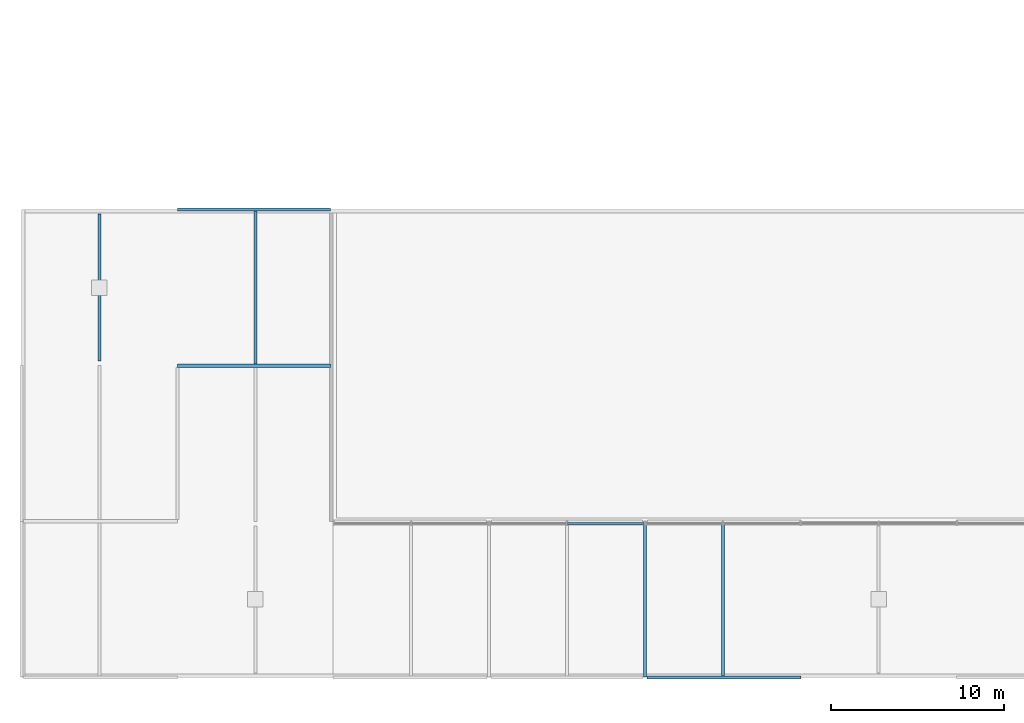
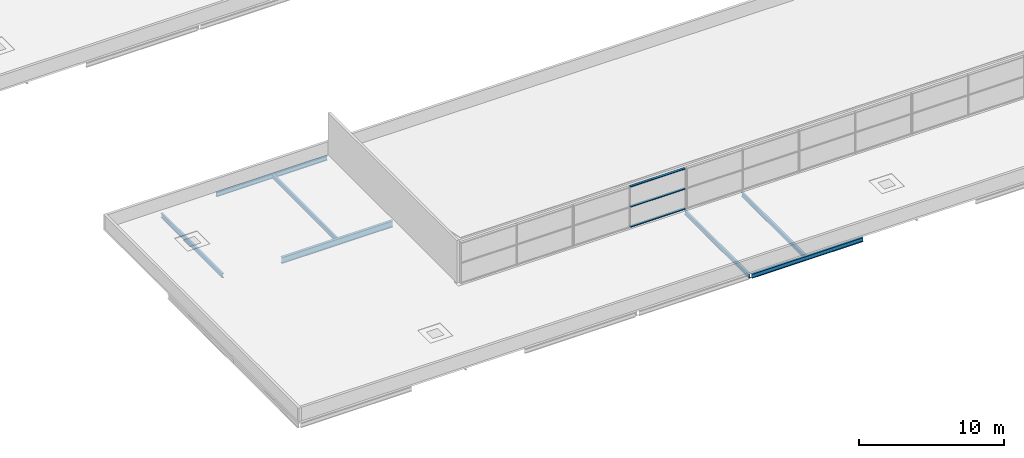
# One storey, part 6 of 50: 7 beams, 3 members, 1 element without a shape of its own.
"""IFC4 building model written with IfcOpenShell, lengths in metres."""

from ifc_helpers import new_model, si_unit, direction, frame, origin, origin_2d, place, context, subcontext, project, spatial, rectangle, i_section, extrude, material, layer, layer_set, material_profile, profile_set, type_object, element, aggregate, save


model = new_model("IFC4")

# Units and contexts
model_context = context("Model", 3, precision=1e-05, world=origin(), true_north=direction((0.0, 1.0)))
body_context = subcontext(model_context, "Body", "Model", "MODEL_VIEW")
ifc_project = project(units=[si_unit("LENGTHUNIT", "METRE"), si_unit("AREAUNIT", "SQUARE_METRE"), si_unit("VOLUMEUNIT", "CUBIC_METRE"), si_unit("PLANEANGLEUNIT", "RADIAN"), si_unit("MASSUNIT", "GRAM", prefix="KILO")], contexts=[model_context])

# Site, building, storey
site_placement = place(None, origin())
site = spatial("IfcSite", under=ifc_project, at=site_placement, CompositionType="ELEMENT")
building_placement = place(site_placement, origin())
building = spatial("IfcBuilding", under=site, at=building_placement, Name="Corbel Yard City Hall", CompositionType="ELEMENT")
storey_placement = place(building_placement, frame((0.0, 0.0, 15.0)))
storey = spatial("IfcBuildingStorey", under=building, at=storey_placement, Name="L03", CompositionType="ELEMENT", Elevation=15.0)

# Beams
ifc_material_1 = material(Name="Steel Grade 300 (300 MPa yield)", Category="steel")
ifc_material_profile_1 = material_profile(ifc_material_1, i_section(OverallWidth=0.1708984375, OverallDepth=0.35205078125, WebThickness=0.0068359375, FlangeThickness=0.009765625, at=origin_2d()), Name="360UB44.7")
ifc_profile_set_1 = profile_set([ifc_material_profile_1], Name="Steel Grade 300 (300 MPa yield)")
beam_type_1 = type_object("IfcBeamType", Name="Beam 360UB44.7", PredefinedType="BEAM", material=ifc_profile_set_1)
beam_1_placement = place(storey_placement, frame((36.0, 0.00439453125, -0.325927734375), z_axis=(0.0, 1.0, 0.0), x_axis=(-1.0, 0.0, 0.0)))
element("IfcBeam", 1, at=beam_1_placement, inside=storey, type_object=beam_type_1, Name="Beam 360UB44.7 SB13 L03roof", PredefinedType="BEAM", context=body_context, shape_type="SweptSolid", body=[
    extrude(i_section(OverallWidth=0.1708984375, OverallDepth=0.35205078125, WebThickness=0.0068359375, FlangeThickness=0.009765625, at=origin_2d()), origin(), (0.0, 0.0, 1.0), 8.99072265625),
])
ifc_material_profile_2 = material_profile(ifc_material_1, i_section(OverallWidth=0.172119140625, OverallDepth=0.35888671875, WebThickness=0.008056640625, FlangeThickness=0.012939453125, at=origin_2d()), Name="360UB56.7")
ifc_profile_set_2 = profile_set([ifc_material_profile_2], Name="Steel Grade 300 (300 MPa yield)")
beam_type_2 = type_object("IfcBeamType", Name="Edge beam 360UB56.7", PredefinedType="BEAM", material=ifc_profile_set_2)
beam_2_placement = place(storey_placement, frame((36.126953125, 0.0, -0.32958984375), z_axis=(1.0, 0.0, 0.0), x_axis=(0.0, 1.0, 0.0)))
element("IfcBeam", 2, at=beam_2_placement, inside=storey, type_object=beam_type_2, Name="Edge beam 360UB56.7 EB4 L03roof", PredefinedType="BEAM", context=body_context, shape_type="SweptSolid", body=[
    extrude(i_section(OverallWidth=0.172119140625, OverallDepth=0.35888671875, WebThickness=0.008056640625, FlangeThickness=0.012939453125, at=origin_2d()), origin(), (0.0, 0.0, 1.0), 8.873046875),
])
beam_3_placement = place(storey_placement, frame((9.0, 27.0, -0.32958984375), z_axis=(1.0, 0.0, 0.0), x_axis=(0.0, 1.0, 0.0)))
element("IfcBeam", 3, at=beam_3_placement, inside=storey, type_object=beam_type_2, Name="Edge beam 360UB56.7 EB4 L03roof", PredefinedType="BEAM", context=body_context, shape_type="SweptSolid", body=[
    extrude(i_section(OverallWidth=0.172119140625, OverallDepth=0.35888671875, WebThickness=0.008056640625, FlangeThickness=0.012939453125, at=origin_2d()), origin(), (0.0, 0.0, 1.0), 8.845947265625),
])
ifc_material_profile_3 = material_profile(ifc_material_1, i_section(OverallWidth=0.208984375, OverallDepth=0.528076171875, WebThickness=0.009521484375, FlangeThickness=0.01318359375, at=origin_2d()), Name="530UB82.0")
ifc_profile_set_3 = profile_set([ifc_material_profile_3], Name="Steel Grade 300 (300 MPa yield)")
beam_type_3 = type_object("IfcBeamType", Name="Girder 530UB82.0", PredefinedType="BEAM", material=ifc_profile_set_3)
beam_4_placement = place(storey_placement, frame((9.0, 18.0, -0.4140625), z_axis=(1.0, 0.0, 0.0), x_axis=(0.0, 1.0, 0.0)))
element("IfcBeam", 4, at=beam_4_placement, inside=storey, type_object=beam_type_3, Name="Girder 530UB82.0 GB3 L03roof", PredefinedType="BEAM", context=body_context, shape_type="SweptSolid", body=[
    extrude(i_section(OverallWidth=0.208984375, OverallDepth=0.528076171875, WebThickness=0.009521484375, FlangeThickness=0.01318359375, at=origin_2d()), origin(), (0.0, 0.0, 1.0), 8.8701171875),
])
ifc_material_profile_4 = material_profile(ifc_material_1, i_section(OverallWidth=0.1708984375, OverallDepth=0.35205078125, WebThickness=0.0068359375, FlangeThickness=0.009765625, at=origin_2d()), Name="360UB44.7")
ifc_profile_set_4 = profile_set([ifc_material_profile_4], Name="Steel Grade 300 (300 MPa yield)")
beam_type_4 = type_object("IfcBeamType", Name="Secondary beam 360UB44.7", PredefinedType="JOIST", material=ifc_profile_set_4)
beam_5_placement = place(storey_placement, frame((13.5, 18.1044921875, -0.325927734375), z_axis=(0.0, 1.0, 0.0), x_axis=(-1.0, 0.0, 0.0)))
element("IfcBeam", 5, at=beam_5_placement, inside=storey, type_object=beam_type_4, Name="Secondary beam 360UB44.7 SB11 L03roof", PredefinedType="JOIST", context=body_context, shape_type="SweptSolid", body=[
    extrude(i_section(OverallWidth=0.1708984375, OverallDepth=0.35205078125, WebThickness=0.0068359375, FlangeThickness=0.009765625, at=origin_2d()), origin(), (0.0, 0.0, 1.0), 8.8095703125),
])
beam_6_placement = place(storey_placement, frame((40.5, 0.0859375, -0.325927734375), z_axis=(0.0, 1.0, 0.0), x_axis=(-1.0, 0.0, 0.0)))
element("IfcBeam", 6, at=beam_6_placement, inside=storey, type_object=beam_type_4, Name="Secondary beam 360UB44.7 SB11 L03roof", PredefinedType="JOIST", context=body_context, shape_type="SweptSolid", body=[
    extrude(i_section(OverallWidth=0.1708984375, OverallDepth=0.35205078125, WebThickness=0.0068359375, FlangeThickness=0.009765625, at=origin_2d()), origin(), (0.0, 0.0, 1.0), 8.828125),
])
beam_7_placement = place(storey_placement, frame((4.5, 18.25, -0.325927734375), z_axis=(0.0, 1.0, 0.0), x_axis=(-1.0, 0.0, 0.0)))
element("IfcBeam", 7, at=beam_7_placement, inside=storey, type_object=beam_type_4, Name="Core roof beam 360UB44.7 SB11 PC-S5", PredefinedType="JOIST", context=body_context, shape_type="SweptSolid", body=[
    extrude(i_section(OverallWidth=0.1708984375, OverallDepth=0.35205078125, WebThickness=0.0068359375, FlangeThickness=0.009765625, at=origin_2d()), origin(), (0.0, 0.0, 1.0), 8.5),
])

# Curtain wall, members
ifc_material_2 = material(Name="Aluminium extrusion", Category="aluminium")
ifc_layer = layer(ifc_material_2, 0.219970703125)
ifc_layer_set = layer_set([ifc_layer], Name="Aluminium extrusion")
curtain_wall_type = type_object("IfcCurtainWallType", Name="CW5", PredefinedType="USERDEFINED", material=ifc_layer_set)
curtain_wall_placement = place(storey_placement, origin())
curtain_wall = element("IfcCurtainWall", 8, at=curtain_wall_placement, inside=storey, type_object=curtain_wall_type, Name="Hall south clerestory curtain wall", ObjectType="CURTAIN WALL", PredefinedType="USERDEFINED")
ifc_material_profile_5 = material_profile(ifc_material_2, rectangle(XDim=0.179931640625, YDim=0.06494140625, at=origin_2d()), Name="180x65")
ifc_profile_set_5 = profile_set([ifc_material_profile_5], Name="Aluminium extrusion")
member_type = type_object("IfcMemberType", Name="TR5", PredefinedType="USERDEFINED", material=ifc_profile_set_5)
member_1_placement = place(storey_placement, frame((31.532470703125, 8.889892578125, 0.032470703125), z_axis=(1.0, 0.0, 0.0), x_axis=(0.0, 1.0, 0.0)))
member_1 = element("IfcMember", 9, at=member_1_placement, type_object=member_type, Name="CW5 transom 2.1", ObjectType="TRANSOM", PredefinedType="USERDEFINED", context=body_context, shape_type="SweptSolid", body=[
    extrude(rectangle(XDim=0.179931640625, YDim=0.06494140625, at=origin_2d()), origin(), (0.0, 0.0, 1.0), 4.402587890625),
])
member_2_placement = place(storey_placement, frame((31.532470703125, 8.889892578125, 1.72509765625), z_axis=(1.0, 0.0, 0.0), x_axis=(0.0, 1.0, 0.0)))
member_2 = element("IfcMember", 10, at=member_2_placement, type_object=member_type, Name="CW5 transom 2.2", ObjectType="TRANSOM", PredefinedType="USERDEFINED", context=body_context, shape_type="SweptSolid", body=[
    extrude(rectangle(XDim=0.179931640625, YDim=0.06494140625, at=origin_2d()), origin(), (0.0, 0.0, 1.0), 4.402587890625),
])
member_3_placement = place(storey_placement, frame((31.532470703125, 8.889892578125, 3.41748046875), z_axis=(1.0, 0.0, 0.0), x_axis=(0.0, 1.0, 0.0)))
member_3 = element("IfcMember", 11, at=member_3_placement, type_object=member_type, Name="CW5 transom 2.3", ObjectType="TRANSOM", PredefinedType="USERDEFINED", context=body_context, shape_type="SweptSolid", body=[
    extrude(rectangle(XDim=0.179931640625, YDim=0.06494140625, at=origin_2d()), origin(), (0.0, 0.0, 1.0), 4.402587890625),
])
aggregate(curtain_wall, [member_1, member_2, member_3])

save(model, "model.ifc")
